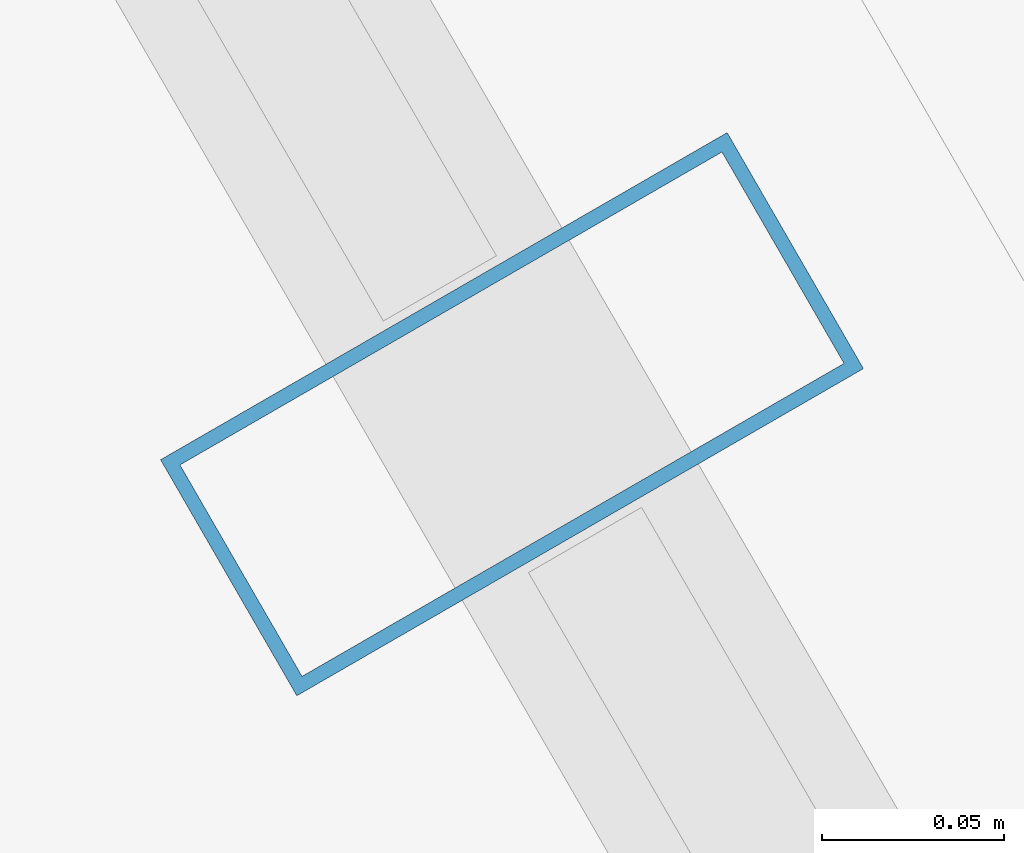
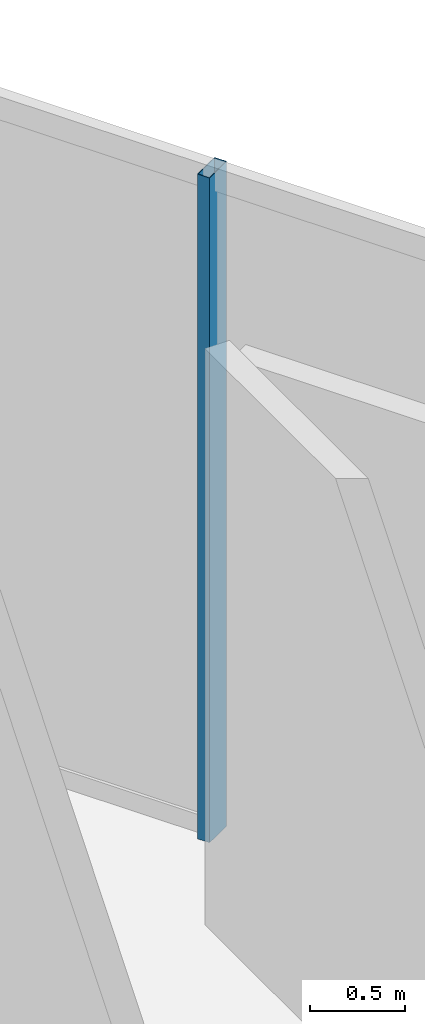
# One storey, part 18 of 32: 1 member, 1 element without a shape of its own.
"""IFC4 building model written with IfcOpenShell, lengths in metres."""

from ifc_helpers import new_model, si_unit, direction, frame, origin, origin_2d, place, context, subcontext, project, spatial, hollow_rectangle, extrude, material, layer, layer_set, material_profile, profile_set, type_object, element, aggregate, save


model = new_model("IFC4")

# Units and contexts
model_context = context("Model", 3, precision=1e-05, world=origin(), true_north=direction((0.0, 1.0)))
body_context = subcontext(model_context, "Body", "Model", "MODEL_VIEW")
ifc_project = project(units=[si_unit("LENGTHUNIT", "METRE"), si_unit("AREAUNIT", "SQUARE_METRE"), si_unit("VOLUMEUNIT", "CUBIC_METRE"), si_unit("PLANEANGLEUNIT", "RADIAN"), si_unit("MASSUNIT", "GRAM", prefix="KILO")], contexts=[model_context])

# Site, building, storey
site_placement = place(None, origin())
site = spatial("IfcSite", under=ifc_project, at=site_placement, CompositionType="ELEMENT")
building_placement = place(site_placement, origin())
building = spatial("IfcBuilding", under=site, at=building_placement, Name="Ndaravel Arena Tower", CompositionType="ELEMENT")
storey_placement = place(building_placement, frame((0.0, 0.0, 278.800048828125)))
storey = spatial("IfcBuildingStorey", under=building, at=storey_placement, Name="L68", CompositionType="ELEMENT", Elevation=278.800048828125)

# Curtain wall, member
ifc_material_1 = material(Name="Aluminium", Category="aluminium")
ifc_layer = layer(ifc_material_1, 0.179931640625)
ifc_layer_set = layer_set([ifc_layer], Name="Aluminium")
curtain_wall_type = type_object("IfcCurtainWallType", Name="CW-SYS-03", PredefinedType="NOTDEFINED", material=ifc_layer_set)
curtain_wall_placement = place(storey_placement, origin())
curtain_wall = element("IfcCurtainWall", 1, at=curtain_wall_placement, inside=storey, type_object=curtain_wall_type, Name="L68 Faceted Crystal Curtain Wall CW-L68-E03", PredefinedType="NOTDEFINED")
ifc_material_2 = material(Name="Aluminium", Category="aluminium")
ifc_material_profile = material_profile(ifc_material_2, hollow_rectangle(XDim=0.074951171875, YDim=0.179931640625, WallThickness=0.00390625, at=origin_2d()), Name="CW MULLION 75x180x4")
ifc_profile_set = profile_set([ifc_material_profile], Name="Aluminium")
member_type = type_object("IfcMemberType", Name="MEM-CW-MUL180", PredefinedType="MULLION", material=ifc_profile_set)
member_placement = place(storey_placement, frame((51.03271484375, 32.35888671875, 0.0), z_axis=(0.0, 0.0, 1.0), x_axis=(-0.5, 0.866025403784, 0.0)))
member = element("IfcMember", 2, at=member_placement, type_object=member_type, Name="CW-L68-E03 Mullion 06", PredefinedType="MULLION", context=body_context, shape_type="SweptSolid", body=[
    extrude(hollow_rectangle(XDim=0.074951171875, YDim=0.179931640625, WallThickness=0.00390625, at=origin_2d()), origin(), (0.0, 0.0, 1.0), 4.280029296875),
])
aggregate(curtain_wall, [member])

save(model, "model.ifc")
